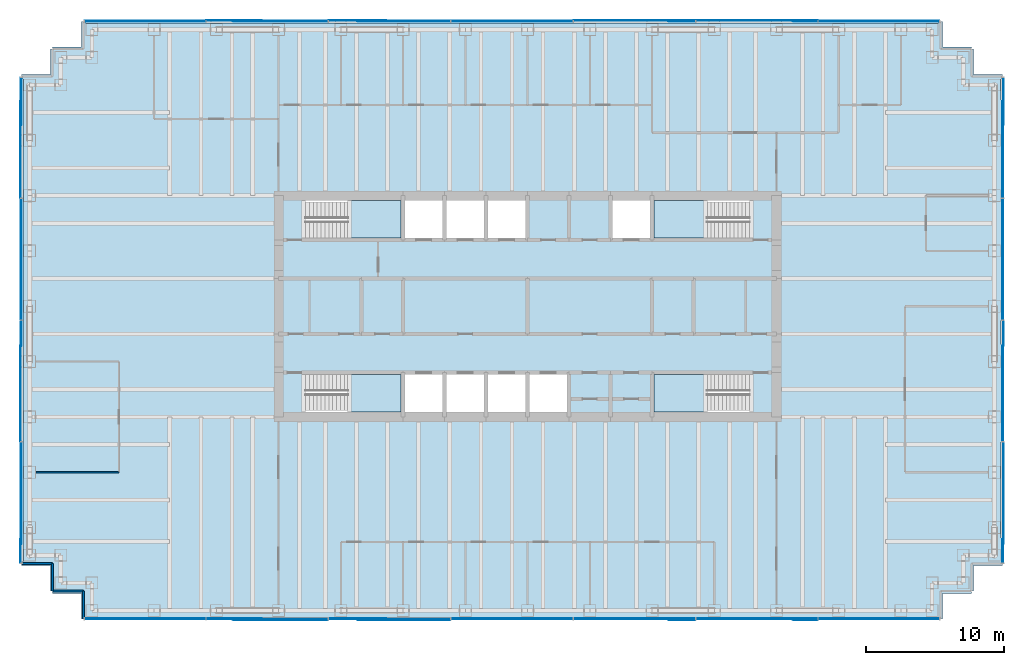
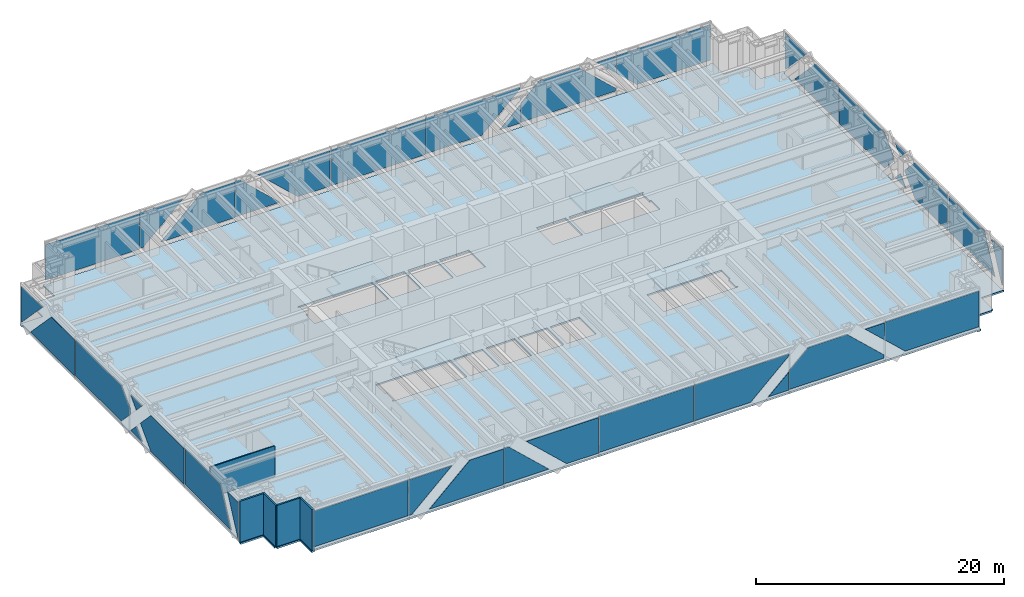
# One storey, part 10 of 15: 38 plates, 5 slabs, 5 walls, 8 elements without a shape of their own.
"""IFC4 building model written with IfcOpenShell, lengths in metres."""

from ifc_helpers import new_model, si_unit, direction, frame, frame_2d, origin, origin_2d, place, context, subcontext, project, spatial, polyline, rectangle, outline, extrude, material, layer, layer_set, type_object, element, aggregate, save


model = new_model("IFC4")

# Units and contexts
model_context = context("Model", 3, precision=1e-05, world=origin(), true_north=direction((0.0, 1.0)))
body_context = subcontext(model_context, "Body", "Model", "MODEL_VIEW")
ifc_project = project(units=[si_unit("LENGTHUNIT", "METRE"), si_unit("AREAUNIT", "SQUARE_METRE"), si_unit("VOLUMEUNIT", "CUBIC_METRE"), si_unit("PLANEANGLEUNIT", "RADIAN"), si_unit("MASSUNIT", "GRAM", prefix="KILO")], contexts=[model_context])

# Site, building, storey
site_placement = place(None, origin())
site = spatial("IfcSite", under=ifc_project, at=site_placement, CompositionType="ELEMENT")
building_placement = place(site_placement, origin())
building = spatial("IfcBuilding", under=site, at=building_placement, Name="Rheinbord Bourse Tower", CompositionType="ELEMENT")
storey_placement = place(building_placement, frame((0.0, 0.0, 313.10009765625)))
storey = spatial("IfcBuildingStorey", under=building, at=storey_placement, Name="L71", CompositionType="ELEMENT", Elevation=313.10009765625)

# Slab
ifc_material_1 = material(Name="Concrete C30/37", Category="concrete")
ifc_layer_1 = layer(ifc_material_1, 0.159912109375)
ifc_layer_set_1 = layer_set([ifc_layer_1], Name="COMPOSITE FLOOR SLAB 160")
slab_type_1 = type_object("IfcSlabType", Name="COMPOSITE FLOOR SLAB 160", PredefinedType="FLOOR", material=ifc_layer_set_1)
slab_1_placement = place(storey_placement, frame((0.0, 0.0, -0.16015625)))
element("IfcSlab", 1, at=slab_1_placement, inside=storey, type_object=slab_type_1, Name="Floor slab L71", PredefinedType="FLOOR", context=body_context, shape_type="SweptSolid", body=[
    extrude(outline(polyline([(1.64990234375, 3.39990234375), (1.5, 3.39990234375), (1.5, 5.25), (-0.60009765625, 5.25), (-0.60009765625, 5.550048828125), (-0.5, 5.550048828125), (-0.5, 40.449951171875), (-0.60009765625, 40.449951171875), (-0.60009765625, 40.75), (1.5, 40.75), (1.5, 42.60009765625), (1.64990234375, 42.60009765625), (1.64990234375, 42.75), (3.75, 42.75), (3.75, 44.60009765625), (4.050048828125, 44.60009765625), (4.050048828125, 44.5), (65.699951171875, 44.5), (65.699951171875, 44.60009765625), (66.0, 44.60009765625), (66.0, 42.75), (68.10009765625, 42.75), (68.10009765625, 42.60009765625), (68.25, 42.60009765625), (68.25, 40.75), (70.35009765625, 40.75), (70.35009765625, 40.449951171875), (70.25, 40.449951171875), (70.25, 5.550048828125), (70.35009765625, 5.550048828125), (70.35009765625, 5.25), (68.25, 5.25), (68.25, 3.39990234375), (68.10009765625, 3.39990234375), (68.10009765625, 3.25), (66.0, 3.25), (66.0, 1.39990234375), (65.699951171875, 1.39990234375), (65.699951171875, 1.5), (4.050048828125, 1.5), (4.050048828125, 1.39990234375), (3.75, 1.39990234375), (3.75, 3.25), (1.64990234375, 3.25), (1.64990234375, 3.39990234375)]), holes=[polyline([(19.949951171875, 19.050048828125), (26.85009765625, 19.050048828125), (26.85009765625, 16.35009765625), (19.949951171875, 16.35009765625), (19.949951171875, 16.449951171875), (20.10009765625, 16.449951171875), (20.10009765625, 17.64990234375), (19.949951171875, 17.64990234375), (19.949951171875, 19.050048828125)]), polyline([(19.949951171875, 31.64990234375), (26.85009765625, 31.64990234375), (26.85009765625, 28.949951171875), (19.949951171875, 28.949951171875), (19.949951171875, 30.35009765625), (20.10009765625, 30.35009765625), (20.10009765625, 31.550048828125), (19.949951171875, 31.550048828125), (19.949951171875, 31.64990234375)]), polyline([(52.050048828125, 16.35009765625), (45.14990234375, 16.35009765625), (45.14990234375, 19.050048828125), (52.050048828125, 19.050048828125), (52.050048828125, 17.64990234375), (51.89990234375, 17.64990234375), (51.89990234375, 16.449951171875), (52.050048828125, 16.449951171875), (52.050048828125, 16.35009765625)]), polyline([(52.050048828125, 28.949951171875), (45.14990234375, 28.949951171875), (45.14990234375, 31.64990234375), (52.050048828125, 31.64990234375), (52.050048828125, 31.550048828125), (51.89990234375, 31.550048828125), (51.89990234375, 30.35009765625), (52.050048828125, 30.35009765625), (52.050048828125, 28.949951171875)]), polyline([(27.14990234375, 16.35009765625), (27.14990234375, 19.050048828125), (29.85009765625, 19.050048828125), (29.85009765625, 16.35009765625), (27.14990234375, 16.35009765625)]), polyline([(27.14990234375, 28.949951171875), (27.14990234375, 31.64990234375), (29.85009765625, 31.64990234375), (29.85009765625, 28.949951171875), (27.14990234375, 28.949951171875)]), polyline([(30.14990234375, 16.35009765625), (30.14990234375, 19.050048828125), (32.85009765625, 19.050048828125), (32.85009765625, 16.35009765625), (30.14990234375, 16.35009765625)]), polyline([(30.14990234375, 28.949951171875), (30.14990234375, 31.64990234375), (32.85009765625, 31.64990234375), (32.85009765625, 28.949951171875), (30.14990234375, 28.949951171875)]), polyline([(33.14990234375, 16.35009765625), (33.14990234375, 19.050048828125), (35.85009765625, 19.050048828125), (35.85009765625, 16.35009765625), (33.14990234375, 16.35009765625)]), polyline([(33.14990234375, 28.949951171875), (33.14990234375, 31.64990234375), (35.85009765625, 31.64990234375), (35.85009765625, 28.949951171875), (33.14990234375, 28.949951171875)]), polyline([(36.14990234375, 16.35009765625), (36.14990234375, 19.050048828125), (38.85009765625, 19.050048828125), (38.85009765625, 16.35009765625), (36.14990234375, 16.35009765625)]), polyline([(42.14990234375, 28.949951171875), (42.14990234375, 31.64990234375), (44.85009765625, 31.64990234375), (44.85009765625, 28.949951171875), (42.14990234375, 28.949951171875)])]), origin(), (0.0, 0.0, 1.0), 0.16015625),
])

# Curtain wall, plates
ifc_material_2 = material(Name="Dark glass and black aluminium", Category="aluminium")
curtain_wall_type = type_object("IfcCurtainWallType", Name="CW3 DARK GLASS CURTAIN WALL", PredefinedType="USERDEFINED", material=ifc_material_2)
curtain_wall_1_placement = place(storey_placement, origin())
curtain_wall_1 = element("IfcCurtainWall", 2, at=curtain_wall_1_placement, inside=storey, type_object=curtain_wall_type, Name="Curtain wall CW3 S L71", ObjectType="UNITISED CURTAIN WALL", PredefinedType="USERDEFINED")
ifc_material_3 = material(Name="Dark tinted triple insulating glass", Category="glass")
ifc_layer_2 = layer(ifc_material_3, 0.055908203125)
ifc_layer_set_2 = layer_set([ifc_layer_2], Name="CW3 DARK GLASS PANEL")
plate_type = type_object("IfcPlateType", Name="CW3 DARK GLASS PANEL", PredefinedType="CURTAIN_PANEL", material=ifc_layer_set_2)
plate_1_placement = place(storey_placement, frame((8.34130859375, 1.39990234375, 0.349853515625), z_axis=(0.0, 0.0, 1.0), x_axis=(1.0, 0.0, 0.0)))
plate_1 = element("IfcPlate", 3, at=plate_1_placement, type_object=plate_type, Name="CW3 panel 1.1", PredefinedType="CURTAIN_PANEL", context=body_context, shape_type="SweptSolid", body=[
    extrude(rectangle(XDim=8.75244140625, YDim=0.055908203125, at=origin_2d()), origin(), (0.0, 0.0, 1.0), 3.5),
])
plate_2_placement = place(storey_placement, frame((34.875, 1.39990234375, 0.349853515625), z_axis=(0.0, 0.0, 1.0), x_axis=(1.0, 0.0, 0.0)))
plate_2 = element("IfcPlate", 4, at=plate_2_placement, type_object=plate_type, Name="CW3 panel 4.1", PredefinedType="CURTAIN_PANEL", context=body_context, shape_type="SweptSolid", body=[
    extrude(rectangle(XDim=8.784912109375, YDim=0.055908203125, at=origin_2d()), origin(), (0.0, 0.0, 1.0), 3.5),
])
plate_3_placement = place(storey_placement, frame((12.782958984375, 1.3720703125, 0.349853515625), z_axis=(0.0, 1.0, 0.0), x_axis=(0.0, 0.0, 1.0)))
plate_3 = element("IfcPlate", 5, at=plate_3_placement, type_object=plate_type, Name="CW3 glass facet 1", PredefinedType="CURTAIN_PANEL", context=body_context, shape_type="SweptSolid", body=[
    extrude(outline(polyline([(0.0, 0.0), (3.5, 0.0), (3.5, 4.030029296875), (0.0, 0.280029296875), (0.0, 0.0)])), origin(), (0.0, 0.0, 1.0), 0.055908203125),
])
plate_4_placement = place(storey_placement, frame((21.56689453125, 1.31103515625, 3.849853515625), z_axis=(0.0, 1.0, 0.0), x_axis=(0.0, 0.0, -1.0)))
plate_4 = element("IfcPlate", 6, at=plate_4_placement, type_object=plate_type, Name="CW3 glass facet 2", PredefinedType="CURTAIN_PANEL", context=body_context, shape_type="SweptSolid", body=[
    extrude(outline(polyline([(0.0, 0.0), (3.5, 0.0), (3.5, 6.8798828125), (0.0, 3.1298828125), (0.0, 0.0)])), origin(), (0.0, 0.0, 1.0), 0.055908203125),
])
plate_5_placement = place(storey_placement, frame((21.633056640625, 1.3720703125, 0.349853515625), z_axis=(0.0, 1.0, 0.0), x_axis=(0.0, 0.0, 1.0)))
plate_5 = element("IfcPlate", 7, at=plate_5_placement, type_object=plate_type, Name="CW3 glass facet 1", PredefinedType="CURTAIN_PANEL", context=body_context, shape_type="SweptSolid", body=[
    extrude(outline(polyline([(0.0, 0.0), (3.5, 0.0), (3.5, 0.429931640625), (0.0, 4.179931640625), (0.0, 0.0)])), origin(), (0.0, 0.0, 1.0), 0.055908203125),
])
plate_6_placement = place(storey_placement, frame((30.4169921875, 1.31103515625, 3.849853515625), z_axis=(0.0, 1.0, 0.0), x_axis=(0.0, 0.0, -1.0)))
plate_6 = element("IfcPlate", 8, at=plate_6_placement, type_object=plate_type, Name="CW3 glass facet 2", PredefinedType="CURTAIN_PANEL", context=body_context, shape_type="SweptSolid", body=[
    extrude(outline(polyline([(0.0, 0.0), (3.5, 0.0), (3.5, 2.97998046875), (0.0, 6.72998046875), (0.0, 0.0)])), origin(), (0.0, 0.0, 1.0), 0.055908203125),
])
plate_7_placement = place(storey_placement, frame((39.3330078125, 1.3720703125, 0.349853515625), z_axis=(0.0, 1.0, 0.0), x_axis=(0.0, 0.0, 1.0)))
plate_7 = element("IfcPlate", 9, at=plate_7_placement, type_object=plate_type, Name="CW3 glass facet 1", PredefinedType="CURTAIN_PANEL", context=body_context, shape_type="SweptSolid", body=[
    extrude(outline(polyline([(0.0, 0.0), (3.5, 0.0), (3.5, 8.783935546875), (3.317138671875, 8.783935546875), (0.0, 5.22998046875), (0.0, 0.0)])), origin(), (0.0, 0.0, 1.0), 0.055908203125),
])
plate_8_placement = place(storey_placement, frame((48.116943359375, 1.31103515625, 0.349853515625), z_axis=(0.0, 1.0, 0.0), x_axis=(-1.0, 0.0, 0.0)))
plate_8 = element("IfcPlate", 10, at=plate_8_placement, type_object=plate_type, Name="CW3 glass facet 2", PredefinedType="CURTAIN_PANEL", context=body_context, shape_type="SweptSolid", body=[
    extrude(outline(polyline([(0.0, 0.0), (1.929931640625, 0.0), (0.0, 1.802001953125), (0.0, 0.0)])), origin(), (0.0, 0.0, 1.0), 0.055908203125),
])
plate_9_placement = place(storey_placement, frame((56.967041015625, 1.3720703125, 0.349853515625), z_axis=(0.0, 1.0, 0.0), x_axis=(-1.0, 0.0, 0.0)))
plate_9 = element("IfcPlate", 11, at=plate_9_placement, type_object=plate_type, Name="CW3 glass facet 1", PredefinedType="CURTAIN_PANEL", context=body_context, shape_type="SweptSolid", body=[
    extrude(outline(polyline([(0.0, 0.0), (8.78515625, 0.0), (8.78515625, 1.863037109375), (7.030029296875, 3.5), (3.404052734375, 3.5), (0.0, 0.322998046875), (0.0, 0.0)])), origin(), (0.0, 0.0, 1.0), 0.055908203125),
])
plate_10_placement = place(storey_placement, frame((56.967041015625, 1.31103515625, 3.849853515625), z_axis=(0.0, 1.0, 0.0), x_axis=(0.0, 0.0, -1.0)))
plate_10 = element("IfcPlate", 12, at=plate_10_placement, type_object=plate_type, Name="CW3 glass facet 2", PredefinedType="CURTAIN_PANEL", context=body_context, shape_type="SweptSolid", body=[
    extrude(outline(polyline([(0.0, 0.0), (1.661865234375, 0.0), (0.0, 1.780029296875), (0.0, 0.0)])), origin(), (0.0, 0.0, 1.0), 0.055908203125),
])
plate_11_placement = place(storey_placement, frame((57.031982421875, 1.3720703125, 3.849853515625), z_axis=(0.0, 1.0, 0.0), x_axis=(1.0, 0.0, 0.0)))
plate_11 = element("IfcPlate", 13, at=plate_11_placement, type_object=plate_type, Name="CW3 glass facet 1", PredefinedType="CURTAIN_PANEL", context=body_context, shape_type="SweptSolid", body=[
    extrude(outline(polyline([(0.0, 0.0), (8.7529296875, 0.0), (8.7529296875, 3.5), (1.905029296875, 3.5), (0.0, 1.722900390625), (0.0, 0.0)])), origin(), (0.0, 0.0, 1.0), 0.055908203125),
])
aggregate(curtain_wall_1, [plate_1, plate_2, plate_3, plate_4, plate_5, plate_6, plate_7, plate_8, plate_9, plate_10, plate_11])

curtain_wall_2_placement = place(storey_placement, origin())
curtain_wall_2 = element("IfcCurtainWall", 14, at=curtain_wall_2_placement, inside=storey, type_object=curtain_wall_type, Name="Curtain wall CW3 E L71", ObjectType="UNITISED CURTAIN WALL", PredefinedType="USERDEFINED")
plate_12_placement = place(storey_placement, frame((70.3779296875, 5.465087890625, 0.349853515625), z_axis=(-1.0, 0.0, 0.0), x_axis=(0.0, 0.0, 1.0)))
plate_12 = element("IfcPlate", 15, at=plate_12_placement, type_object=plate_type, Name="CW3 glass facet 1", PredefinedType="CURTAIN_PANEL", context=body_context, shape_type="SweptSolid", body=[
    extrude(outline(polyline([(0.0, 0.0), (3.5, 0.0), (3.5, 1.7548828125), (0.0, 0.087890625), (0.0, 0.0)])), origin(), (0.0, 0.0, 1.0), 0.055908203125),
])
plate_13_placement = place(storey_placement, frame((70.43896484375, 14.16796875, 3.849853515625), z_axis=(-1.0, 0.0, 0.0), x_axis=(0.0, 0.0, -1.0)))
plate_13 = element("IfcPlate", 16, at=plate_13_placement, type_object=plate_type, Name="CW3 glass facet 2", PredefinedType="CURTAIN_PANEL", context=body_context, shape_type="SweptSolid", body=[
    extrude(outline(polyline([(0.0, 0.0), (3.5, 0.0), (3.5, 7.387939453125), (0.0, 5.720947265625), (0.0, 0.0)])), origin(), (0.0, 0.0, 1.0), 0.055908203125),
])
plate_14_placement = place(storey_placement, frame((70.3779296875, 14.23193359375, 0.349853515625), z_axis=(-1.0, 0.0, 0.0), x_axis=(0.0, 0.0, 1.0)))
plate_14 = element("IfcPlate", 17, at=plate_14_placement, type_object=plate_type, Name="CW3 glass facet 1", PredefinedType="CURTAIN_PANEL", context=body_context, shape_type="SweptSolid", body=[
    extrude(outline(polyline([(0.0, 0.0), (3.5, 0.0), (3.5, 5.336181640625), (1.75, 7.003173828125), (0.0, 5.336181640625), (0.0, 0.0)])), origin(), (0.0, 0.0, 1.0), 0.055908203125),
])
plate_15_placement = place(storey_placement, frame((70.43896484375, 21.097900390625, 0.349853515625), z_axis=(-1.0, 0.0, 0.0), x_axis=(0.0, 0.689725085129, 0.72407134106)))
plate_15 = element("IfcPlate", 18, at=plate_15_placement, type_object=plate_type, Name="CW3 glass facet 2", PredefinedType="CURTAIN_PANEL", context=body_context, shape_type="SweptSolid", body=[
    extrude(outline(polyline([(0.0, 0.0), (1.307861328125, 0.0), (1.244384765625, 1.306396484375), (0.0, 0.0)])), origin(), (0.0, 0.0, 1.0), 0.055908203125),
])
plate_16_placement = place(storey_placement, frame((70.43896484375, 22.902099609375, 3.849853515625), z_axis=(-1.0, 0.0, 0.0), x_axis=(0.0, -0.689725085129, -0.72407134106)))
plate_16 = element("IfcPlate", 19, at=plate_16_placement, type_object=plate_type, Name="CW3 glass facet 3", PredefinedType="CURTAIN_PANEL", context=body_context, shape_type="SweptSolid", body=[
    extrude(outline(polyline([(0.0, 0.0), (1.307861328125, 0.0), (1.244384765625, 1.306396484375), (0.0, 0.0)])), origin(), (0.0, 0.0, 1.0), 0.055908203125),
])
plate_17_placement = place(storey_placement, frame((70.3779296875, 31.76708984375, 3.849853515625), z_axis=(-1.0, 0.0, 0.0), x_axis=(0.0, 0.0, -1.0)))
plate_17 = element("IfcPlate", 20, at=plate_17_placement, type_object=plate_type, Name="CW3 glass facet 1", PredefinedType="CURTAIN_PANEL", context=body_context, shape_type="SweptSolid", body=[
    extrude(outline(polyline([(0.0, 0.0), (3.5, 0.0), (3.5, 7.335205078125), (2.031005859375, 8.735107421875), (1.468994140625, 8.735107421875), (0.0, 7.335205078125), (0.0, 0.0)])), origin(), (0.0, 0.0, 1.0), 0.055908203125),
])
plate_18_placement = place(storey_placement, frame((70.3779296875, 31.8330078125, 0.349853515625), z_axis=(-1.0, 0.0, 0.0), x_axis=(0.0, 0.0, 1.0)))
plate_18 = element("IfcPlate", 21, at=plate_18_placement, type_object=plate_type, Name="CW3 glass facet 1", PredefinedType="CURTAIN_PANEL", context=body_context, shape_type="SweptSolid", body=[
    extrude(outline(polyline([(0.0, 0.0), (3.5, 0.0), (3.5, 3.735107421875), (0.0, 7.069091796875), (0.0, 0.0)])), origin(), (0.0, 0.0, 1.0), 0.055908203125),
])
plate_19_placement = place(storey_placement, frame((70.43896484375, 40.534912109375, 3.849853515625), z_axis=(-1.0, 0.0, 0.0), x_axis=(0.0, 0.0, -1.0)))
plate_19 = element("IfcPlate", 22, at=plate_19_placement, type_object=plate_type, Name="CW3 glass facet 2", PredefinedType="CURTAIN_PANEL", context=body_context, shape_type="SweptSolid", body=[
    extrude(outline(polyline([(0.0, 0.0), (3.5, 0.0), (3.5, 0.10302734375), (0.0, 3.43701171875), (0.0, 0.0)])), origin(), (0.0, 0.0, 1.0), 0.055908203125),
])
aggregate(curtain_wall_2, [plate_12, plate_13, plate_14, plate_15, plate_16, plate_17, plate_18, plate_19])

curtain_wall_3_placement = place(storey_placement, origin())
curtain_wall_3 = element("IfcCurtainWall", 23, at=curtain_wall_3_placement, inside=storey, type_object=curtain_wall_type, Name="Curtain wall CW3 N L71", ObjectType="UNITISED CURTAIN WALL", PredefinedType="USERDEFINED")
plate_20_placement = place(storey_placement, frame((34.875, 44.60009765625, 0.349853515625), z_axis=(0.0, 0.0, 1.0), x_axis=(-1.0, 0.0, 0.0)))
plate_20 = element("IfcPlate", 24, at=plate_20_placement, type_object=plate_type, Name="CW3 panel 4.1", PredefinedType="CURTAIN_PANEL", context=body_context, shape_type="SweptSolid", body=[
    extrude(rectangle(XDim=8.784912109375, YDim=0.055908203125, at=origin_2d()), origin(), (0.0, 0.0, 1.0), 3.5),
])
plate_21_placement = place(storey_placement, frame((8.34130859375, 44.60009765625, 0.349853515625), z_axis=(0.0, 0.0, 1.0), x_axis=(-1.0, 0.0, 0.0)))
plate_21 = element("IfcPlate", 25, at=plate_21_placement, type_object=plate_type, Name="CW3 panel 7.1", PredefinedType="CURTAIN_PANEL", context=body_context, shape_type="SweptSolid", body=[
    extrude(rectangle(XDim=8.75244140625, YDim=0.055908203125, at=origin_2d()), origin(), (0.0, 0.0, 1.0), 3.5),
])
plate_22_placement = place(storey_placement, frame((65.784912109375, 44.6279296875, 0.349853515625), z_axis=(0.0, -1.0, 0.0), x_axis=(0.0, 0.0, 1.0)))
plate_22 = element("IfcPlate", 26, at=plate_22_placement, type_object=plate_type, Name="CW3 glass facet 1", PredefinedType="CURTAIN_PANEL", context=body_context, shape_type="SweptSolid", body=[
    extrude(outline(polyline([(0.0, 0.0), (3.5, 0.0), (3.5, 8.7529296875), (1.777099609375, 8.7529296875), (0.0, 6.847900390625), (0.0, 0.0)])), origin(), (0.0, 0.0, 1.0), 0.055908203125),
])
plate_23_placement = place(storey_placement, frame((56.967041015625, 44.6279296875, 3.849853515625), z_axis=(0.0, -1.0, 0.0), x_axis=(-1.0, 0.0, 0.0)))
plate_23 = element("IfcPlate", 27, at=plate_23_placement, type_object=plate_type, Name="CW3 glass facet 1", PredefinedType="CURTAIN_PANEL", context=body_context, shape_type="SweptSolid", body=[
    extrude(outline(polyline([(0.0, 0.0), (1.780029296875, 0.0), (0.0, 1.661865234375), (0.0, 0.0)])), origin(), (0.0, 0.0, 1.0), 0.055908203125),
])
plate_24_placement = place(storey_placement, frame((48.181884765625, 44.68896484375, 0.349853515625), z_axis=(0.0, -1.0, 0.0), x_axis=(1.0, 0.0, 0.0)))
plate_24 = element("IfcPlate", 28, at=plate_24_placement, type_object=plate_type, Name="CW3 glass facet 2", PredefinedType="CURTAIN_PANEL", context=body_context, shape_type="SweptSolid", body=[
    extrude(outline(polyline([(0.0, 0.0), (8.78515625, 0.0), (8.78515625, 0.322998046875), (5.381103515625, 3.5), (1.755126953125, 3.5), (0.0, 1.863037109375), (0.0, 0.0)])), origin(), (0.0, 0.0, 1.0), 0.055908203125),
])
plate_25_placement = place(storey_placement, frame((48.116943359375, 44.6279296875, 0.349853515625), z_axis=(0.0, -1.0, 0.0), x_axis=(0.0, 0.0, 1.0)))
plate_25 = element("IfcPlate", 29, at=plate_25_placement, type_object=plate_type, Name="CW3 glass facet 1", PredefinedType="CURTAIN_PANEL", context=body_context, shape_type="SweptSolid", body=[
    extrude(outline(polyline([(0.0, 0.0), (1.802001953125, 0.0), (0.0, 1.929931640625), (0.0, 0.0)])), origin(), (0.0, 0.0, 1.0), 0.055908203125),
])
plate_26_placement = place(storey_placement, frame((48.116943359375, 44.68896484375, 3.849853515625), z_axis=(0.0, -1.0, 0.0), x_axis=(-1.0, 0.0, 0.0)))
plate_26 = element("IfcPlate", 30, at=plate_26_placement, type_object=plate_type, Name="CW3 glass facet 2", PredefinedType="CURTAIN_PANEL", context=body_context, shape_type="SweptSolid", body=[
    extrude(outline(polyline([(0.0, 0.0), (8.784912109375, 0.0), (8.784912109375, 3.5), (3.553955078125, 3.5), (0.0, 0.182861328125), (0.0, 0.0)])), origin(), (0.0, 0.0, 1.0), 0.055908203125),
])
plate_27_placement = place(storey_placement, frame((30.4169921875, 44.6279296875, 0.349853515625), z_axis=(0.0, -1.0, 0.0), x_axis=(0.0, 0.0, 1.0)))
plate_27 = element("IfcPlate", 31, at=plate_27_placement, type_object=plate_type, Name="CW3 glass facet 1", PredefinedType="CURTAIN_PANEL", context=body_context, shape_type="SweptSolid", body=[
    extrude(outline(polyline([(0.0, 0.0), (3.5, 0.0), (3.5, 6.72998046875), (0.0, 2.97998046875), (0.0, 0.0)])), origin(), (0.0, 0.0, 1.0), 0.055908203125),
])
plate_28_placement = place(storey_placement, frame((21.632080078125, 44.68896484375, 3.849853515625), z_axis=(0.0, -1.0, 0.0), x_axis=(0.0, 0.0, -1.0)))
plate_28 = element("IfcPlate", 32, at=plate_28_placement, type_object=plate_type, Name="CW3 glass facet 2", PredefinedType="CURTAIN_PANEL", context=body_context, shape_type="SweptSolid", body=[
    extrude(outline(polyline([(0.0, 0.0), (3.5, 0.0), (3.5, 4.180908203125), (0.0, 0.430908203125), (0.0, 0.0)])), origin(), (0.0, 0.0, 1.0), 0.055908203125),
])
plate_29_placement = place(storey_placement, frame((21.56689453125, 44.6279296875, 0.349853515625), z_axis=(0.0, -1.0, 0.0), x_axis=(0.0, 0.0, 1.0)))
plate_29 = element("IfcPlate", 33, at=plate_29_placement, type_object=plate_type, Name="CW3 glass facet 1", PredefinedType="CURTAIN_PANEL", context=body_context, shape_type="SweptSolid", body=[
    extrude(outline(polyline([(0.0, 0.0), (3.5, 0.0), (3.5, 3.1298828125), (0.0, 6.8798828125), (0.0, 0.0)])), origin(), (0.0, 0.0, 1.0), 0.055908203125),
])
plate_30_placement = place(storey_placement, frame((12.781982421875, 44.68896484375, 3.849853515625), z_axis=(0.0, -1.0, 0.0), x_axis=(0.0, 0.0, -1.0)))
plate_30 = element("IfcPlate", 34, at=plate_30_placement, type_object=plate_type, Name="CW3 glass facet 2", PredefinedType="CURTAIN_PANEL", context=body_context, shape_type="SweptSolid", body=[
    extrude(outline(polyline([(0.0, 0.0), (3.5, 0.0), (3.5, 0.281005859375), (0.0, 4.031005859375), (0.0, 0.0)])), origin(), (0.0, 0.0, 1.0), 0.055908203125),
])
aggregate(curtain_wall_3, [plate_20, plate_21, plate_22, plate_23, plate_24, plate_25, plate_26, plate_27, plate_28, plate_29, plate_30])

curtain_wall_4_placement = place(storey_placement, origin())
curtain_wall_4 = element("IfcCurtainWall", 35, at=curtain_wall_4_placement, inside=storey, type_object=curtain_wall_type, Name="Curtain wall CW3 W L71", ObjectType="UNITISED CURTAIN WALL", PredefinedType="USERDEFINED")
plate_31_placement = place(storey_placement, frame((-0.6279296875, 40.534912109375, 0.349853515625), z_axis=(1.0, 0.0, 0.0), x_axis=(0.0, 0.0, 1.0)))
plate_31 = element("IfcPlate", 36, at=plate_31_placement, type_object=plate_type, Name="CW3 glass facet 1", PredefinedType="CURTAIN_PANEL", context=body_context, shape_type="SweptSolid", body=[
    extrude(outline(polyline([(0.0, 0.0), (3.5, 0.0), (3.5, 3.43701171875), (0.0, 0.10302734375), (0.0, 0.0)])), origin(), (0.0, 0.0, 1.0), 0.055908203125),
])
plate_32_placement = place(storey_placement, frame((-0.68896484375, 31.8330078125, 3.849853515625), z_axis=(1.0, 0.0, 0.0), x_axis=(0.0, 0.0, -1.0)))
plate_32 = element("IfcPlate", 37, at=plate_32_placement, type_object=plate_type, Name="CW3 glass facet 2", PredefinedType="CURTAIN_PANEL", context=body_context, shape_type="SweptSolid", body=[
    extrude(outline(polyline([(0.0, 0.0), (3.5, 0.0), (3.5, 7.069091796875), (0.0, 3.735107421875), (0.0, 0.0)])), origin(), (0.0, 0.0, 1.0), 0.055908203125),
])
plate_33_placement = place(storey_placement, frame((-0.6279296875, 31.76708984375, 0.349853515625), z_axis=(1.0, 0.0, 0.0), x_axis=(0.0, 0.0, 1.0)))
plate_33 = element("IfcPlate", 38, at=plate_33_placement, type_object=plate_type, Name="CW3 glass facet 1", PredefinedType="CURTAIN_PANEL", context=body_context, shape_type="SweptSolid", body=[
    extrude(outline(polyline([(0.0, 0.0), (3.5, 0.0), (3.5, 7.335205078125), (2.031005859375, 8.735107421875), (1.468994140625, 8.735107421875), (0.0, 7.335205078125), (0.0, 0.0)])), origin(), (0.0, 0.0, 1.0), 0.055908203125),
])
plate_34_placement = place(storey_placement, frame((-0.6279296875, 22.902099609375, 0.349853515625), z_axis=(1.0, 0.0, 0.0), x_axis=(0.0, -0.689725085129, 0.72407134106)))
plate_34 = element("IfcPlate", 39, at=plate_34_placement, type_object=plate_type, Name="CW3 glass facet 1", PredefinedType="CURTAIN_PANEL", context=body_context, shape_type="SweptSolid", body=[
    extrude(outline(polyline([(0.0, 0.0), (1.307861328125, 0.0), (1.244384765625, 1.306396484375), (0.0, 0.0)])), origin(), (0.0, 0.0, 1.0), 0.055908203125),
])
plate_35_placement = place(storey_placement, frame((-0.6279296875, 21.097900390625, 3.849853515625), z_axis=(1.0, 0.0, 0.0), x_axis=(0.0, 0.689725085129, -0.72407134106)))
plate_35 = element("IfcPlate", 40, at=plate_35_placement, type_object=plate_type, Name="CW3 glass facet 2", PredefinedType="CURTAIN_PANEL", context=body_context, shape_type="SweptSolid", body=[
    extrude(outline(polyline([(0.0, 0.0), (1.307861328125, 0.0), (1.244384765625, 1.306396484375), (0.0, 0.0)])), origin(), (0.0, 0.0, 1.0), 0.055908203125),
])
plate_36_placement = place(storey_placement, frame((-0.68896484375, 14.23291015625, 3.849853515625), z_axis=(1.0, 0.0, 0.0), x_axis=(0.0, 0.0, -1.0)))
plate_36 = element("IfcPlate", 41, at=plate_36_placement, type_object=plate_type, Name="CW3 glass facet 3", PredefinedType="CURTAIN_PANEL", context=body_context, shape_type="SweptSolid", body=[
    extrude(outline(polyline([(0.0, 0.0), (3.5, 0.0), (3.5, 5.335205078125), (1.75, 7.002197265625), (0.0, 5.335205078125), (0.0, 0.0)])), origin(), (0.0, 0.0, 1.0), 0.055908203125),
])
plate_37_placement = place(storey_placement, frame((-0.6279296875, 14.1669921875, 0.349853515625), z_axis=(1.0, 0.0, 0.0), x_axis=(0.0, 0.0, 1.0)))
plate_37 = element("IfcPlate", 42, at=plate_37_placement, type_object=plate_type, Name="CW3 glass facet 1", PredefinedType="CURTAIN_PANEL", context=body_context, shape_type="SweptSolid", body=[
    extrude(outline(polyline([(0.0, 0.0), (3.5, 0.0), (3.5, 5.719970703125), (0.0, 7.386962890625), (0.0, 0.0)])), origin(), (0.0, 0.0, 1.0), 0.055908203125),
])
plate_38_placement = place(storey_placement, frame((-0.68896484375, 5.465087890625, 3.849853515625), z_axis=(1.0, 0.0, 0.0), x_axis=(0.0, 0.0, -1.0)))
plate_38 = element("IfcPlate", 43, at=plate_38_placement, type_object=plate_type, Name="CW3 glass facet 2", PredefinedType="CURTAIN_PANEL", context=body_context, shape_type="SweptSolid", body=[
    extrude(outline(polyline([(0.0, 0.0), (3.5, 0.0), (3.5, 0.087890625), (0.0, 1.7548828125), (0.0, 0.0)])), origin(), (0.0, 0.0, 1.0), 0.055908203125),
])
aggregate(curtain_wall_4, [plate_31, plate_32, plate_33, plate_34, plate_35, plate_36, plate_37, plate_38])

# Stair, slab
ifc_material_4 = material(Name="Concrete C30/37", Category="concrete")
stair_type = type_object("IfcStairType", Name="CORE STAIR HALF TURN 4200", PredefinedType="HALF_TURN_STAIR", material=ifc_material_4)
stair_1_placement = place(storey_placement, origin())
stair_1 = element("IfcStair", 44, at=stair_1_placement, inside=storey, type_object=stair_type, Name="Stair ST1 L71, type CS6", PredefinedType="HALF_TURN_STAIR")
ifc_material_5 = material(Name="Concrete C30/37", Category="concrete")
ifc_layer_3 = layer(ifc_material_5, 0.199951171875)
ifc_layer_set_3 = layer_set([ifc_layer_3], Name="STAIR LANDING 200")
slab_type_2 = type_object("IfcSlabType", Name="STAIR LANDING 200", PredefinedType="LANDING", material=ifc_layer_set_3)
slab_2_placement = place(storey_placement, frame((0.0, 0.0, 1.89990234375)))
slab_2 = element("IfcSlab", 45, at=slab_2_placement, type_object=slab_type_2, Name="Half landing ST1 L71", PredefinedType="LANDING", context=body_context, shape_type="SweptSolid", body=[
    extrude(outline(polyline([(23.030029296875, 16.35009765625), (26.85009765625, 16.35009765625), (26.85009765625, 19.050048828125), (21.748046875, 19.050048828125), (21.748046875, 17.85009765625), (23.030029296875, 17.85009765625), (23.030029296875, 16.35009765625)])), origin(), (0.0, 0.0, 1.0), 0.199951171875),
])
aggregate(stair_1, [slab_2])

stair_2_placement = place(storey_placement, origin())
stair_2 = element("IfcStair", 46, at=stair_2_placement, inside=storey, type_object=stair_type, Name="Stair ST2 L71, type CS6", PredefinedType="HALF_TURN_STAIR")
slab_3_placement = place(storey_placement, frame((0.0, 0.0, 1.89990234375)))
slab_3 = element("IfcSlab", 47, at=slab_3_placement, type_object=slab_type_2, Name="Half landing ST2 L71", PredefinedType="LANDING", context=body_context, shape_type="SweptSolid", body=[
    extrude(outline(polyline([(21.748046875, 28.949951171875), (26.85009765625, 28.949951171875), (26.85009765625, 31.64990234375), (23.030029296875, 31.64990234375), (23.030029296875, 30.14990234375), (21.748046875, 30.14990234375), (21.748046875, 28.949951171875)])), origin(), (0.0, 0.0, 1.0), 0.199951171875),
])
aggregate(stair_2, [slab_3])

stair_3_placement = place(storey_placement, origin())
stair_3 = element("IfcStair", 48, at=stair_3_placement, inside=storey, type_object=stair_type, Name="Stair ST3 L71, type CS6", PredefinedType="HALF_TURN_STAIR")
slab_4_placement = place(storey_placement, frame((0.0, 0.0, 1.89990234375)))
slab_4 = element("IfcSlab", 49, at=slab_4_placement, type_object=slab_type_2, Name="Half landing ST3 L71", PredefinedType="LANDING", context=body_context, shape_type="SweptSolid", body=[
    extrude(outline(polyline([(45.14990234375, 16.35009765625), (48.969970703125, 16.35009765625), (48.969970703125, 17.85009765625), (50.251953125, 17.85009765625), (50.251953125, 19.050048828125), (45.14990234375, 19.050048828125), (45.14990234375, 16.35009765625)])), origin(), (0.0, 0.0, 1.0), 0.199951171875),
])
aggregate(stair_3, [slab_4])

stair_4_placement = place(storey_placement, origin())
stair_4 = element("IfcStair", 50, at=stair_4_placement, inside=storey, type_object=stair_type, Name="Stair ST4 L71, type CS6", PredefinedType="HALF_TURN_STAIR")
slab_5_placement = place(storey_placement, frame((0.0, 0.0, 1.89990234375)))
slab_5 = element("IfcSlab", 51, at=slab_5_placement, type_object=slab_type_2, Name="Half landing ST4 L71", PredefinedType="LANDING", context=body_context, shape_type="SweptSolid", body=[
    extrude(outline(polyline([(45.14990234375, 28.949951171875), (50.251953125, 28.949951171875), (50.251953125, 30.14990234375), (48.969970703125, 30.14990234375), (48.969970703125, 31.64990234375), (45.14990234375, 31.64990234375), (45.14990234375, 28.949951171875)])), origin(), (0.0, 0.0, 1.0), 0.199951171875),
])
aggregate(stair_4, [slab_5])

# Walls
ifc_material_6 = material(Name="Black metal rainscreen panel", Category="aluminium")
ifc_layer_4 = layer(ifc_material_6, 0.14990234375)
ifc_layer_set_4 = layer_set([ifc_layer_4], Name="CORNER PIER CLADDING 150")
wall_type_1 = type_object("IfcWallType", Name="CORNER PIER CLADDING 150", PredefinedType="ELEMENTEDWALL", material=ifc_layer_set_4)
wall_1_placement = place(storey_placement, frame((-0.60009765625, 5.39990234375, 0.0), z_axis=(0.0, 0.0, 1.0), x_axis=(1.0, 0.0, 0.0)))
element("IfcWall", 52, at=wall_1_placement, inside=storey, type_object=wall_type_1, Name="Corner pier cladding L71 17", PredefinedType="ELEMENTEDWALL", context=body_context, shape_type="SweptSolid", body=[
    extrude(rectangle(XDim=2.25, YDim=0.14990234375, at=frame_2d((1.125, 0.0))), origin(), (0.0, 0.0, 1.0), 4.039794921875),
])
wall_2_placement = place(storey_placement, frame((1.64990234375, 5.39990234375, 0.0), z_axis=(0.0, 0.0, 1.0), x_axis=(0.0, -1.0, 0.0)))
element("IfcWall", 53, at=wall_2_placement, inside=storey, type_object=wall_type_1, Name="Corner pier cladding L71 18", PredefinedType="ELEMENTEDWALL", context=body_context, shape_type="SweptSolid", body=[
    extrude(rectangle(XDim=2.0, YDim=0.14990234375, at=frame_2d((1.0, 0.0))), origin(), (0.0, 0.0, 1.0), 4.039794921875),
])
wall_3_placement = place(storey_placement, frame((1.64990234375, 3.39990234375, 0.0), z_axis=(0.0, 0.0, 1.0), x_axis=(1.0, 0.0, 0.0)))
element("IfcWall", 54, at=wall_3_placement, inside=storey, type_object=wall_type_1, Name="Corner pier cladding L71 19", PredefinedType="ELEMENTEDWALL", context=body_context, shape_type="SweptSolid", body=[
    extrude(rectangle(XDim=2.25, YDim=0.14990234375, at=frame_2d((1.125, 0.0))), origin(), (0.0, 0.0, 1.0), 4.039794921875),
])
wall_4_placement = place(storey_placement, frame((3.89990234375, 3.39990234375, 0.0), z_axis=(0.0, 0.0, 1.0), x_axis=(0.0, -1.0, 0.0)))
element("IfcWall", 55, at=wall_4_placement, inside=storey, type_object=wall_type_1, Name="Corner pier cladding L71 20", PredefinedType="ELEMENTEDWALL", context=body_context, shape_type="SweptSolid", body=[
    extrude(rectangle(XDim=2.0, YDim=0.14990234375, at=frame_2d((1.0, 0.0))), origin(), (0.0, 0.0, 1.0), 4.039794921875),
])
ifc_material_7 = material(Name="Toughened laminated glass partition", Category="glass")
ifc_layer_5 = layer(ifc_material_7, 0.10009765625)
ifc_layer_set_5 = layer_set([ifc_layer_5], Name="GLAZED PARTITION 100")
wall_type_2 = type_object("IfcWallType", Name="GLAZED PARTITION 100", PredefinedType="PARTITIONING", material=ifc_layer_set_5)
wall_5_placement = place(storey_placement, frame((0.449951171875, 12.0, 0.0), z_axis=(0.0, 0.0, 1.0), x_axis=(1.0, 0.0, 0.0)))
element("IfcWall", 56, at=wall_5_placement, inside=storey, type_object=wall_type_2, Name="Partition L71-03", PredefinedType="PARTITIONING", context=body_context, shape_type="SweptSolid", body=[
    extrude(rectangle(XDim=6.0, YDim=0.10009765625, at=frame_2d((3.0, 0.0))), origin(), (0.0, 0.0, 1.0), 3.0),
])

save(model, "model.ifc")
